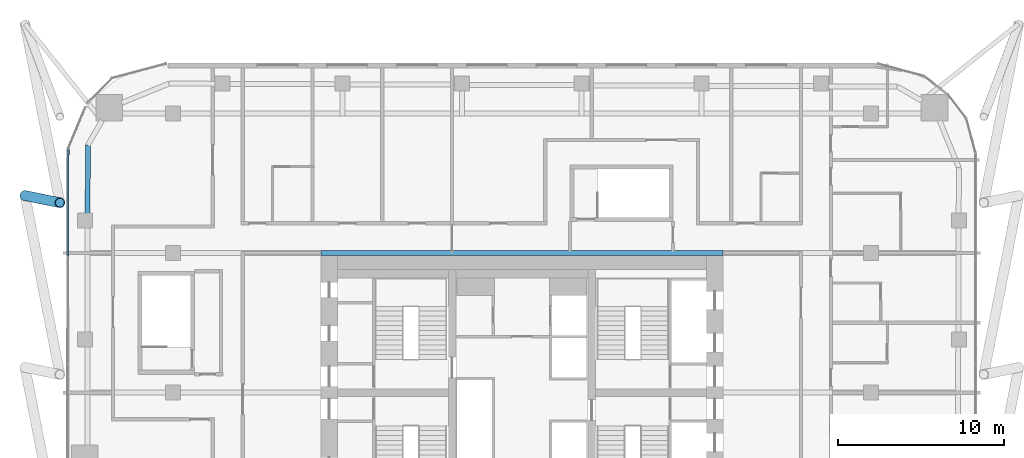
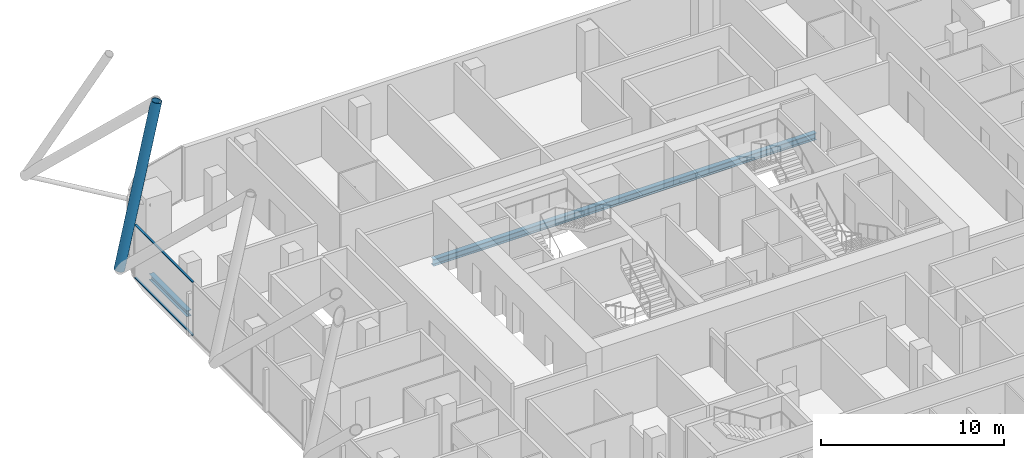
# One storey, part 11 of 34: 3 members, 2 beams, 1 element without a shape of its own.
"""IFC4 building model written with IfcOpenShell, lengths in metres."""

from ifc_helpers import new_model, si_unit, direction, frame, origin, origin_2d, place, context, subcontext, project, spatial, rectangle, hollow_circle, i_section, extrude, material, layer, layer_set, material_profile, profile_set, type_object, element, aggregate, save


model = new_model("IFC4")

# Units and contexts
model_context = context("Model", 3, precision=1e-05, world=origin(), true_north=direction((0.0, 1.0)))
body_context = subcontext(model_context, "Body", "Model", "MODEL_VIEW")
ifc_project = project(units=[si_unit("LENGTHUNIT", "METRE"), si_unit("AREAUNIT", "SQUARE_METRE"), si_unit("VOLUMEUNIT", "CUBIC_METRE"), si_unit("PLANEANGLEUNIT", "RADIAN"), si_unit("MASSUNIT", "GRAM", prefix="KILO")], contexts=[model_context])

# Site, building, storey
site_placement = place(None, origin())
site = spatial("IfcSite", under=ifc_project, at=site_placement, CompositionType="ELEMENT")
building_placement = place(site_placement, origin())
building = spatial("IfcBuilding", under=site, at=building_placement, Name="Marenta Gate Hotel Tower", CompositionType="ELEMENT")
storey_placement = place(building_placement, frame((0.0, 0.0, 166.10009765625)))
storey = spatial("IfcBuildingStorey", under=building, at=storey_placement, Name="L39", CompositionType="ELEMENT", Elevation=166.10009765625)

# Member
ifc_material_1 = material(Name="Steel S355J2W", Category="steel")
ifc_material_profile_1 = material_profile(ifc_material_1, hollow_circle(Radius=0.304931640625, WallThickness=0.0400390625, at=origin_2d()), Name="CHS 610x40")
ifc_profile_set_1 = profile_set([ifc_material_profile_1], Name="Steel S355J2W")
member_type_1 = type_object("IfcMemberType", Name="Diagrid diagonal T2 CHS 610x40", PredefinedType="BRACE", material=ifc_profile_set_1)
member_1_placement = place(storey_placement, frame((-29.89990234375, 20.260009765625, 3.139892578125), z_axis=(0.19071044896, -0.03904675045, 0.980869448977), x_axis=(0.200582587895, 0.979676796415, 0.0)))
element("IfcMember", 1, at=member_1_placement, inside=storey, type_object=member_type_1, Name="L39-DG-33", PredefinedType="BRACE", context=body_context, shape_type="SweptSolid", body=[
    extrude(hollow_circle(Radius=0.304931640625, WallThickness=0.0400390625, at=origin_2d()), origin(), (0.0, 0.0, 1.0), 11.0107421875),
])

# Beams
ifc_material_2 = material(Name="Steel S355", Category="steel")
ifc_material_profile_2 = material_profile(ifc_material_2, i_section(OverallWidth=0.300048828125, OverallDepth=0.39990234375, WebThickness=0.013427734375, FlangeThickness=0.02392578125, FilletRadius=0.027099609375, at=origin_2d()), Name="HEB 400")
ifc_profile_set_2 = profile_set([ifc_material_profile_2], Name="Steel S355")
beam_type_1 = type_object("IfcBeamType", Name="Edge beam HEB 400", PredefinedType="SPANDREL", material=ifc_profile_set_2)
beam_1_placement = place(storey_placement, frame((-26.126953125, 19.16650390625, -0.460205078125), z_axis=(0.001361187116, 0.999999073584, 0.0), x_axis=(-0.999999073584, 0.001361187116, 0.0)))
element("IfcBeam", 2, at=beam_1_placement, inside=storey, type_object=beam_type_1, Name="L39-EB-10", PredefinedType="SPANDREL", context=body_context, shape_type="SweptSolid", body=[
    extrude(i_section(OverallWidth=0.300048828125, OverallDepth=0.39990234375, WebThickness=0.013427734375, FlangeThickness=0.02392578125, FilletRadius=0.027099609375, at=origin_2d()), origin(), (0.0, 0.0, 1.0), 4.125244140625),
])
ifc_material_3 = material(Name="Steel S355", Category="steel")
ifc_material_profile_3 = material_profile(ifc_material_3, i_section(OverallWidth=0.300048828125, OverallDepth=0.449951171875, WebThickness=0.013916015625, FlangeThickness=0.02587890625, FilletRadius=0.027099609375, at=origin_2d()), Name="HEB 450")
ifc_profile_set_3 = profile_set([ifc_material_profile_3], Name="Steel S355")
beam_type_2 = type_object("IfcBeamType", Name="Girder HEB 450", PredefinedType="BEAM", material=ifc_profile_set_3)
beam_2_placement = place(storey_placement, frame((-12.10009765625, 16.800048828125, -0.485107421875), z_axis=(1.0, 0.0, 0.0), x_axis=(0.0, 1.0, 0.0)))
element("IfcBeam", 3, at=beam_2_placement, inside=storey, type_object=beam_type_2, Name="L39-GD-26", PredefinedType="BEAM", context=body_context, shape_type="SweptSolid", body=[
    extrude(i_section(OverallWidth=0.300048828125, OverallDepth=0.449951171875, WebThickness=0.013916015625, FlangeThickness=0.02587890625, FilletRadius=0.027099609375, at=origin_2d()), origin(), (0.0, 0.0, 1.0), 24.2001953125),
])

# Curtain wall, members
ifc_material_4 = material(Name="Tinted insulated glass in bronze anodised frame", Category="glass")
ifc_layer = layer(ifc_material_4, 0.1201171875)
ifc_layer_set = layer_set([ifc_layer], Name="Tinted insulated glass in bronze anodised frame")
curtain_wall_type = type_object("IfcCurtainWallType", Name="Tower unitised curtain wall CW1", PredefinedType="NOTDEFINED", material=ifc_layer_set)
curtain_wall_placement = place(storey_placement, origin())
curtain_wall = element("IfcCurtainWall", 4, at=curtain_wall_placement, inside=storey, type_object=curtain_wall_type, Name="CW1 run G04", PredefinedType="NOTDEFINED")
ifc_material_5 = material(Name="Bronze anodised aluminium", Category="aluminium")
ifc_material_profile_4 = material_profile(ifc_material_5, rectangle(XDim=0.1201171875, YDim=0.06005859375, at=origin_2d()), Name="Transom CW1 60x120 bronze anodised aluminium")
ifc_profile_set_4 = profile_set([ifc_material_profile_4], Name="Bronze anodised aluminium")
member_type_2 = type_object("IfcMemberType", Name="Transom CW1 60x120 bronze anodised aluminium", PredefinedType="USERDEFINED", material=ifc_profile_set_4)
member_2_placement = place(storey_placement, frame((-27.3125, 23.006103515625, 0.02978515625), z_axis=(-0.001533093902, -0.999998824811, 0.0), x_axis=(0.999998824811, -0.001533093902, 0.0)))
member_2 = element("IfcMember", 5, at=member_2_placement, type_object=member_type_2, Name="CW1 transom 1.1", ObjectType="TRANSOM", PredefinedType="USERDEFINED", context=body_context, shape_type="SweptSolid", body=[
    extrude(rectangle(XDim=0.1201171875, YDim=0.06005859375, at=origin_2d()), origin(), (0.0, 0.0, 1.0), 6.369873046875),
])
member_3_placement = place(storey_placement, frame((-27.3125, 23.006103515625, 3.56982421875), z_axis=(-0.001533093902, -0.999998824811, 0.0), x_axis=(0.999998824811, -0.001533093902, 0.0)))
member_3 = element("IfcMember", 6, at=member_3_placement, type_object=member_type_2, Name="CW1 transom 1.2", ObjectType="TRANSOM", PredefinedType="USERDEFINED", context=body_context, shape_type="SweptSolid", body=[
    extrude(rectangle(XDim=0.1201171875, YDim=0.06005859375, at=origin_2d()), origin(), (0.0, 0.0, 1.0), 6.369873046875),
])
aggregate(curtain_wall, [member_2, member_3])

save(model, "model.ifc")
